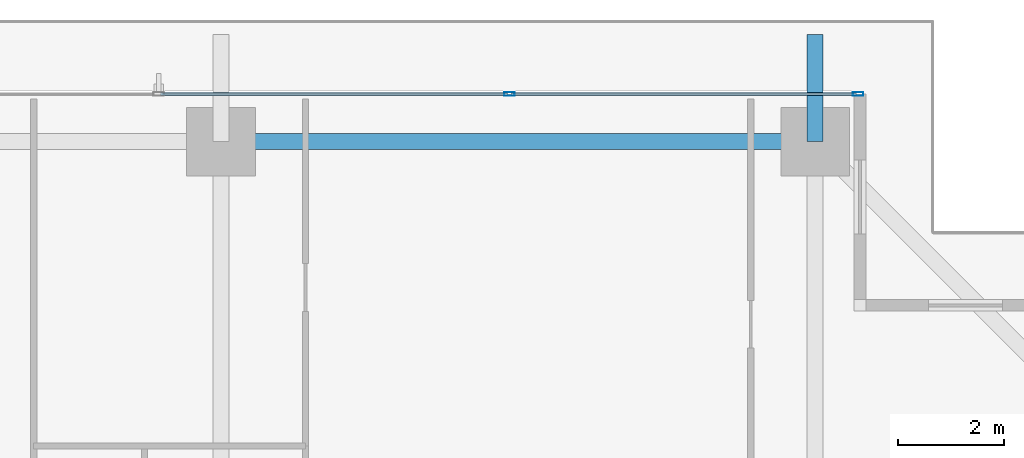
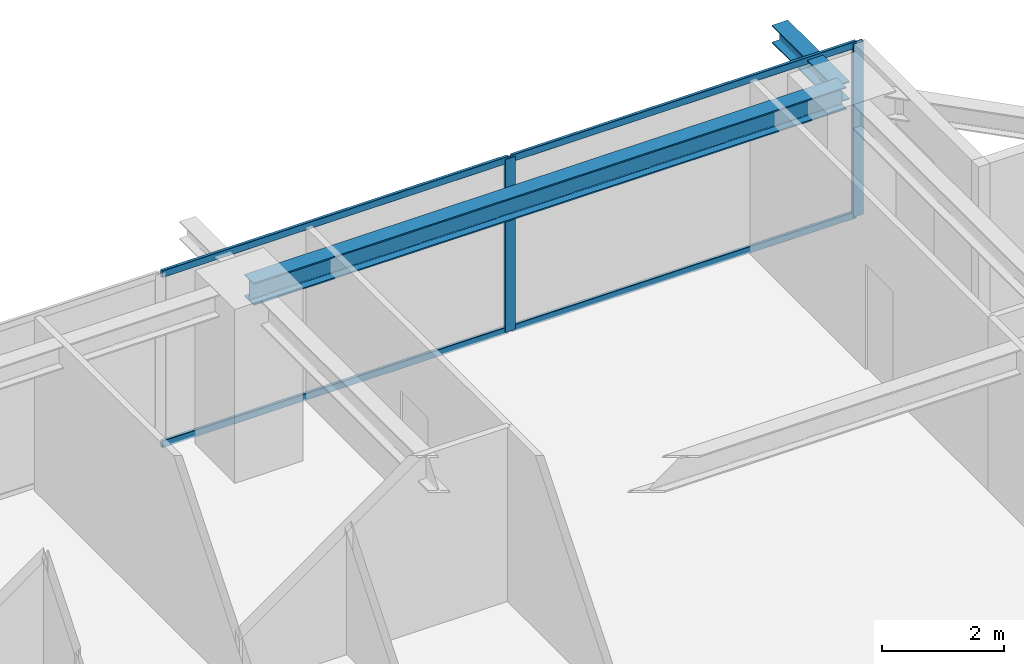
# One storey, part 21 of 35: 6 members, 2 beams, 1 element without a shape of its own.
"""IFC4 building model written with IfcOpenShell, lengths in metres."""

import ifcopenshell
import ifcopenshell.guid

model = None  # the IFC model being written
_history = None  # IfcOwnerHistory: only IFC2X3 demands one
_inside = {}  # id of a spatial element -> (the spatial element, [elements in it])
_under = {}  # id of a project, library or spatial element -> (it, [spatial elements below it])
_declared = {}  # id of a project -> (the project, [libraries it declares])
_typed = {}  # id of a type object -> (the type object, [elements of that type])
_made_of = {}  # id of a material, layer set ... -> (it, [elements and type objects made of it])


def new_model(schema):
    """Start an empty IFC model of exactly this schema.

    Asked for "IFC4X3", IfcOpenShell would pick the latest addendum, in which some entities
    have other attributes; the version numbers below select the first issue.
    IFC2X3 requires an IfcOwnerHistory on every rooted entity: one is made here for all.
    """
    global model, _history
    if schema == "IFC4X3":
        model = ifcopenshell.file(schema_version=(4, 3, 0, 0))
    else:
        model = ifcopenshell.file(schema=schema)
    _inside.clear()
    _under.clear()
    _declared.clear()
    _typed.clear()
    _made_of.clear()
    _history = None
    if model.schema == "IFC2X3":
        org = make("IfcOrganization", Name="unknown")
        user = make(
            "IfcPersonAndOrganization",
            ThePerson=make("IfcPerson", FamilyName="unknown"),
            TheOrganization=org,
        )
        app = make(
            "IfcApplication",
            ApplicationDeveloper=org,
            Version="unknown",
            ApplicationFullName="unknown",
            ApplicationIdentifier="unknown",
        )
        _history = make(
            "IfcOwnerHistory",
            OwningUser=user,
            OwningApplication=app,
            ChangeAction="ADDED",
            CreationDate=0,
        )
    return model


def make(cls, **values):
    """One entity of the class cls with the attributes given. An attribute that is None is left unset."""
    return model.create_entity(
        cls, **{name: value for name, value in values.items() if value is not None}
    )


def rooted(cls, **values):
    """An entity with a GlobalId (a new one), such as an element, a storey or a relation."""
    return make(cls, GlobalId=ifcopenshell.guid.new(), OwnerHistory=_history, **values)


def si_unit(unit_type, name, prefix=None):
    """IfcSIUnit, for example si_unit("LENGTHUNIT", "METRE", prefix="MILLI")."""
    return make("IfcSIUnit", UnitType=unit_type, Prefix=prefix, Name=name)


def assignment(units):
    """IfcUnitAssignment: the units of a project."""
    return None if units is None else make("IfcUnitAssignment", Units=units)


def point(xyz):
    """IfcCartesianPoint."""
    return None if xyz is None else make("IfcCartesianPoint", Coordinates=xyz)


def direction(xyz):
    """IfcDirection."""
    return None if xyz is None else make("IfcDirection", DirectionRatios=xyz)


def frame(location, z_axis=None, x_axis=None):
    """IfcAxis2Placement3D, a coordinate frame: its origin and axes. An axis left out is left unset."""
    return make(
        "IfcAxis2Placement3D",
        Location=point(location),
        Axis=direction(z_axis),
        RefDirection=direction(x_axis),
    )


def frame_2d(location, x_axis=None):
    """IfcAxis2Placement2D, a coordinate frame in the plane: its origin and x axis."""
    return make(
        "IfcAxis2Placement2D", Location=point(location), RefDirection=direction(x_axis)
    )


def origin():
    """The frame at (0, 0, 0) with its axes left unset."""
    return frame((0.0, 0.0, 0.0))


def origin_2d():
    """The frame at (0, 0) in the plane with its x axis left unset."""
    return frame_2d((0.0, 0.0))


def place(relative_to, where):
    """IfcLocalPlacement: puts the frame where relative to a parent placement (None: the world)."""
    return make(
        "IfcLocalPlacement", PlacementRelTo=relative_to, RelativePlacement=where
    )


def context(
    kind, dimensions, precision=None, world=None, true_north=None, identifier=None
):
    """IfcGeometricRepresentationContext, for example the 3D "Model" context."""
    return make(
        "IfcGeometricRepresentationContext",
        ContextIdentifier=identifier,
        ContextType=kind,
        CoordinateSpaceDimension=dimensions,
        Precision=precision,
        WorldCoordinateSystem=world,
        TrueNorth=true_north,
    )


def subcontext(parent, identifier, kind, view, scale=None):
    """IfcGeometricRepresentationSubContext, for example "Body" below "Model"."""
    return make(
        "IfcGeometricRepresentationSubContext",
        ContextIdentifier=identifier,
        ContextType=kind,
        ParentContext=parent,
        TargetScale=scale,
        TargetView=view,
    )


def project(units=None, contexts=None):
    """IfcProject with its units and contexts."""
    return rooted(
        "IfcProject",
        Name="project",
        RepresentationContexts=contexts,
        UnitsInContext=assignment(units),
    )


def spatial(cls, under=None, at=None, **own):
    """A site, building, storey or space (cls), placed at a placement, below another one or the project."""
    s = rooted(cls, ObjectPlacement=at, **own)
    if under is not None:
        _under.setdefault(under.id(), (under, []))[1].append(s)
    return s


def profile(cls, at=None, kind="AREA", **sizes):
    """A parametric profile (cls). Its sizes go by their IFC names, for example OverallWidth=200.0."""
    return make(cls, ProfileType=kind, Position=at, **sizes)


def hollow_rectangle(**sizes):
    """IfcRectangleHollowProfileDef."""
    return profile("IfcRectangleHollowProfileDef", **sizes)


def i_section(**sizes):
    """IfcIShapeProfileDef."""
    return profile("IfcIShapeProfileDef", **sizes)


def extrude(swept, where, along, depth):
    """IfcExtrudedAreaSolid: the profile swept, set in the frame where, extruded along a direction by depth."""
    return make(
        "IfcExtrudedAreaSolid",
        SweptArea=swept,
        Position=where,
        ExtrudedDirection=direction(along),
        Depth=depth,
    )


def shape(context_of_items, identifier, shape_type, items):
    """IfcShapeRepresentation: the items that make up one representation, for example the "Body"."""
    return make(
        "IfcShapeRepresentation",
        ContextOfItems=context_of_items,
        RepresentationIdentifier=identifier,
        RepresentationType=shape_type,
        Items=items,
    )


def source(mapping_origin, context_of_items, identifier, shape_type, items):
    """IfcRepresentationMap: a shape defined once, which mapped items show again and again."""
    return make(
        "IfcRepresentationMap",
        MappingOrigin=mapping_origin,
        MappedRepresentation=shape(context_of_items, identifier, shape_type, items),
    )


def transform(
    local_origin,
    x_axis=None,
    y_axis=None,
    z_axis=None,
    scale=None,
    scale2=None,
    scale3=None,
    uniform=True,
):
    """IfcCartesianTransformationOperator3D, or its non-uniform kind. x_axis, y_axis, z_axis: its Axis1, 2, 3."""
    if uniform:
        return make(
            "IfcCartesianTransformationOperator3D",
            Axis1=direction(x_axis),
            Axis2=direction(y_axis),
            LocalOrigin=point(local_origin),
            Scale=scale,
            Axis3=direction(z_axis),
        )
    return make(
        "IfcCartesianTransformationOperator3DnonUniform",
        Axis1=direction(x_axis),
        Axis2=direction(y_axis),
        LocalOrigin=point(local_origin),
        Scale=scale,
        Axis3=direction(z_axis),
        Scale2=scale2,
        Scale3=scale3,
    )


def mapped(mapping_source, mapping_target):
    """IfcMappedItem: shows the shape of a source again, moved by a transform."""
    return make(
        "IfcMappedItem", MappingSource=mapping_source, MappingTarget=mapping_target
    )


def material(Name=None, Category=None):
    """IfcMaterial."""
    return make("IfcMaterial", Name=Name, Category=Category)


def layer(
    of_material, thickness, ventilated=None, Name=None, Category=None, Priority=None
):
    """IfcMaterialLayer: one layer of a wall or slab, of a material (None: an air gap)."""
    return make(
        "IfcMaterialLayer",
        Material=of_material,
        LayerThickness=thickness,
        IsVentilated=ventilated,
        Name=Name,
        Category=Category,
        Priority=Priority,
    )


def layer_set(layers, Name=None):
    """IfcMaterialLayerSet."""
    return make("IfcMaterialLayerSet", MaterialLayers=layers, LayerSetName=Name)


def material_profile(
    of_material, cross_section, Name=None, Category=None, Priority=None
):
    """IfcMaterialProfile: a cross section and its material."""
    return make(
        "IfcMaterialProfile",
        Name=Name,
        Material=of_material,
        Profile=cross_section,
        Priority=Priority,
        Category=Category,
    )


def profile_set(profiles, Name=None, composite=None):
    """IfcMaterialProfileSet."""
    return make(
        "IfcMaterialProfileSet",
        Name=Name,
        MaterialProfiles=profiles,
        CompositeProfile=composite,
    )


def made_of(thing, what):
    """Note that an element or type object is made of a material, layer set ...; save() writes the relation."""
    if what is not None:
        _made_of.setdefault(what.id(), (what, []))[1].append(thing)
    return thing


def type_object(cls, material=None, **own):
    """A type object (cls), such as IfcWallType, which elements share."""
    return made_of(rooted(cls, **own), material)


def element(
    cls,
    number,
    at=None,
    inside=None,
    cuts=None,
    type_object=None,
    material=None,
    context=None,
    identifier="Body",
    shape_type=None,
    held_by="IfcProductDefinitionShape",
    body=None,
    shapes=None,
    **own,
):
    """One element of the class cls, such as IfcWall. Its Tag is "e" and its number.

    at: its placement. inside: the storey or other place that contains it. cuts: it is an
    opening in that element (IfcRelVoidsElement). A single representation is given by context,
    identifier, shape_type and body (its items); several are given by shapes. held_by: the class
    of the entity that holds the representations. save() writes the other relations.
    """
    e = rooted(cls, Tag="e%d" % number, ObjectPlacement=at, **own)
    if body is not None:
        shapes = [shape(context, identifier, shape_type, body)]
    if shapes is not None:
        e.Representation = make(held_by, Representations=shapes)
    if inside is not None:
        _inside.setdefault(inside.id(), (inside, []))[1].append(e)
    if cuts is not None:
        rooted(
            "IfcRelVoidsElement", RelatingBuildingElement=cuts, RelatedOpeningElement=e
        )
    if type_object is not None:
        _typed.setdefault(type_object.id(), (type_object, []))[1].append(e)
    return made_of(e, material)


def aggregate(whole, parts):
    """IfcRelAggregates: a whole, such as a stair, and the parts it consists of."""
    return rooted("IfcRelAggregates", RelatingObject=whole, RelatedObjects=parts)


def save(model, path):
    """Write the relations noted so far, then the file.

    IfcRelAggregates (storeys below a building ...), IfcRelContainedInSpatialStructure (elements
    in a storey), IfcRelDefinesByType, IfcRelAssociatesMaterial and IfcRelDeclares: one each for
    every whole, place, type object, material and project.
    """
    for whole, parts in _under.values():
        aggregate(whole, parts)
    for where, things in _inside.values():
        rooted(
            "IfcRelContainedInSpatialStructure",
            RelatedElements=things,
            RelatingStructure=where,
        )
    for kind, things in _typed.values():
        rooted("IfcRelDefinesByType", RelatedObjects=things, RelatingType=kind)
    for what, things in _made_of.values():
        rooted("IfcRelAssociatesMaterial", RelatedObjects=things, RelatingMaterial=what)
    for by, libraries in _declared.values():
        rooted("IfcRelDeclares", RelatingContext=by, RelatedDefinitions=libraries)
    model.write(path)


model = new_model("IFC4")

# Units and contexts
model_context = context("Model", 3, precision=1e-05, world=origin(), true_north=direction((0.0, 1.0)))
body_context = subcontext(model_context, "Body", "Model", "MODEL_VIEW")
ifc_project = project(units=[si_unit("LENGTHUNIT", "METRE"), si_unit("AREAUNIT", "SQUARE_METRE"), si_unit("VOLUMEUNIT", "CUBIC_METRE"), si_unit("PLANEANGLEUNIT", "RADIAN"), si_unit("MASSUNIT", "GRAM", prefix="KILO")], contexts=[model_context])

# Site, building, storey
site_placement = place(None, origin())
site = spatial("IfcSite", under=ifc_project, at=site_placement, CompositionType="ELEMENT")
building_placement = place(site_placement, origin())
building = spatial("IfcBuilding", under=site, at=building_placement, Name="Serunith Strait Residences", CompositionType="ELEMENT")
storey_placement = place(building_placement, frame((0.0, 0.0, 157.64990234375)))
storey = spatial("IfcBuildingStorey", under=building, at=storey_placement, Name="L39", CompositionType="ELEMENT", Elevation=157.64990234375)

# Beams
ifc_material_1 = material(Name="Steel S355J2", Category="steel")
ifc_material_profile_1 = material_profile(ifc_material_1, i_section(OverallWidth=0.300048828125, OverallDepth=0.449951171875, WebThickness=0.013916015625, FlangeThickness=0.02587890625, FilletRadius=0.027099609375, at=origin_2d()), Name="HEB 450")
ifc_profile_set_1 = profile_set([ifc_material_profile_1], Name="Steel S355J2")
beam_type_1 = type_object("IfcBeamType", Name="BM-HEB450", PredefinedType="BEAM", material=ifc_profile_set_1)
shared_shape_1 = source(origin(), body_context, "Body", "SweptSolid", [
    extrude(i_section(OverallWidth=0.300048828125, OverallDepth=0.449951171875, WebThickness=0.013916015625, FlangeThickness=0.02587890625, FilletRadius=0.027099609375, at=origin_2d()), origin(), (0.0, 0.0, 1.0), 11.25),
])
beam_1_placement = place(storey_placement, frame((48.14990234375, 48.10009765625, 3.26220703125), z_axis=(-1.0, 0.0, 0.0), x_axis=(0.0, -1.0, 0.0)))
element("IfcBeam", 1, at=beam_1_placement, inside=storey, type_object=beam_type_1, Name="L39 Perimeter Ring Beam 09", PredefinedType="BEAM", context=body_context, shape_type="MappedRepresentation", body=[
    mapped(shared_shape_1, transform((0.0, 0.0, 0.0), scale=1.0)),
])
ifc_material_profile_2 = material_profile(ifc_material_1, i_section(OverallWidth=0.300048828125, OverallDepth=0.360107421875, WebThickness=0.012451171875, FlangeThickness=0.0224609375, FilletRadius=0.027099609375, at=origin_2d()), Name="HEB 360")
ifc_profile_set_2 = profile_set([ifc_material_profile_2], Name="Steel S355J2")
beam_type_2 = type_object("IfcBeamType", Name="BM-HEB360", PredefinedType="BEAM", material=ifc_profile_set_2)
shared_shape_2 = source(origin(), body_context, "Body", "SweptSolid", [
    extrude(i_section(OverallWidth=0.300048828125, OverallDepth=0.360107421875, WebThickness=0.012451171875, FlangeThickness=0.0224609375, FilletRadius=0.027099609375, at=origin_2d()), origin(), (0.0, 0.0, 1.0), 2.02978515625),
])
beam_2_placement = place(storey_placement, frame((48.14990234375, 48.10009765625, 3.277099609375), z_axis=(0.0, 1.0, 0.0), x_axis=(-1.0, 0.0, 0.0)))
element("IfcBeam", 2, at=beam_2_placement, inside=storey, type_object=beam_type_2, Name="L40 Cantilevered Balcony Rib TC-N4", PredefinedType="BEAM", context=body_context, shape_type="MappedRepresentation", body=[
    mapped(shared_shape_2, transform((0.0, 0.0, 0.0), scale=1.0)),
])

# Curtain wall, members
ifc_material_2 = material(Name="Pale-Champagne Anodised Aluminium", Category="aluminium")
ifc_layer = layer(ifc_material_2, 0.199951171875, Name="Pale-Champagne Anodised Aluminium")
ifc_layer_set = layer_set([ifc_layer], Name="Pale-Champagne Anodised Aluminium")
curtain_wall_type = type_object("IfcCurtainWallType", Name="CW-SYS2", PredefinedType="NOTDEFINED", material=ifc_layer_set)
curtain_wall_placement = place(storey_placement, origin())
curtain_wall = element("IfcCurtainWall", 3, at=curtain_wall_placement, inside=storey, type_object=curtain_wall_type, Name="L39 N Unitised Fritted Curtain Wall", PredefinedType="NOTDEFINED")
ifc_material_profile_3 = material_profile(ifc_material_2, hollow_rectangle(XDim=0.070068359375, YDim=0.199951171875, WallThickness=0.00390625, InnerFilletRadius=0.006103515625, OuterFilletRadius=0.010009765625, at=origin_2d()), Name="ALU 200x70x4")
ifc_profile_set_3 = profile_set([ifc_material_profile_3], Name="Pale-Champagne Anodised Aluminium")
member_type_1 = type_object("IfcMemberType", Name="CW-SYS2-MULL", PredefinedType="MULLION", material=ifc_profile_set_3)
shared_shape_3 = source(origin(), body_context, "Body", "SweptSolid", [
    extrude(hollow_rectangle(XDim=0.070068359375, YDim=0.199951171875, WallThickness=0.00390625, InnerFilletRadius=0.006103515625, OuterFilletRadius=0.010009765625, at=origin_2d()), origin(), (0.0, 0.0, 1.0), 3.47509765625),
])
member_1_placement = place(storey_placement, frame((48.965087890625, 49.0, 0.0), z_axis=(0.0, 0.0, 1.0), x_axis=(0.0, -1.0, 0.0)))
member_1 = element("IfcMember", 4, at=member_1_placement, type_object=member_type_1, Name="CW-2 mullion 1", PredefinedType="MULLION", context=body_context, shape_type="MappedRepresentation", body=[
    mapped(shared_shape_3, transform((0.0, 0.0, 0.0), scale=1.0)),
])
member_2_placement = place(storey_placement, frame((42.360107421875, 49.0, 0.0), z_axis=(0.0, 0.0, 1.0), x_axis=(0.0, -1.0, 0.0)))
member_2 = element("IfcMember", 5, at=member_2_placement, type_object=member_type_1, Name="CW-2 mullion 2", PredefinedType="MULLION", context=body_context, shape_type="MappedRepresentation", body=[
    mapped(shared_shape_3, transform((0.0, 0.0, 0.0), scale=1.0)),
])
ifc_material_profile_4 = material_profile(ifc_material_2, hollow_rectangle(XDim=0.06005859375, YDim=0.139892578125, WallThickness=0.00341796875, InnerFilletRadius=0.00537109375, OuterFilletRadius=0.0087890625, at=origin_2d()), Name="ALU 140x60x3.5")
ifc_profile_set_4 = profile_set([ifc_material_profile_4], Name="Pale-Champagne Anodised Aluminium")
member_type_2 = type_object("IfcMemberType", Name="CW-SYS2-TRAN", PredefinedType="USERDEFINED", material=ifc_profile_set_4)
shared_shape_4 = source(origin(), body_context, "Body", "SweptSolid", [
    extrude(hollow_rectangle(XDim=0.06005859375, YDim=0.139892578125, WallThickness=0.00341796875, InnerFilletRadius=0.00537109375, OuterFilletRadius=0.0087890625, at=origin_2d()), origin(), (0.0, 0.0, 1.0), 6.534912109375),
])
member_3_placement = place(storey_placement, frame((48.929931640625, 49.0, 0.030029296875), z_axis=(-1.0, 0.0, 0.0), x_axis=(0.0, -1.0, 0.0)))
member_3 = element("IfcMember", 6, at=member_3_placement, type_object=member_type_2, Name="CW-2 transom 1.1", ObjectType="TRANSOM", PredefinedType="USERDEFINED", context=body_context, shape_type="MappedRepresentation", body=[
    mapped(shared_shape_4, transform((0.0, 0.0, 0.0), scale=1.0)),
])
member_4_placement = place(storey_placement, frame((48.929931640625, 49.0, 3.445068359375), z_axis=(-1.0, 0.0, 0.0), x_axis=(0.0, -1.0, 0.0)))
member_4 = element("IfcMember", 7, at=member_4_placement, type_object=member_type_2, Name="CW-2 transom 1.2", ObjectType="TRANSOM", PredefinedType="USERDEFINED", context=body_context, shape_type="MappedRepresentation", body=[
    mapped(shared_shape_4, transform((0.0, 0.0, 0.0), scale=1.0)),
])
shared_shape_5 = source(origin(), body_context, "Body", "SweptSolid", [
    extrude(hollow_rectangle(XDim=0.06005859375, YDim=0.139892578125, WallThickness=0.00341796875, InnerFilletRadius=0.00537109375, OuterFilletRadius=0.0087890625, at=origin_2d()), origin(), (0.0, 0.0, 1.0), 6.570068359375),
])
member_5_placement = place(storey_placement, frame((42.324951171875, 49.0, 0.030029296875), z_axis=(-1.0, 0.0, 0.0), x_axis=(0.0, -1.0, 0.0)))
member_5 = element("IfcMember", 8, at=member_5_placement, type_object=member_type_2, Name="CW-2 transom 2.1", ObjectType="TRANSOM", PredefinedType="USERDEFINED", context=body_context, shape_type="MappedRepresentation", body=[
    mapped(shared_shape_5, transform((0.0, 0.0, 0.0), scale=1.0)),
])
member_6_placement = place(storey_placement, frame((42.324951171875, 49.0, 3.445068359375), z_axis=(-1.0, 0.0, 0.0), x_axis=(0.0, -1.0, 0.0)))
member_6 = element("IfcMember", 9, at=member_6_placement, type_object=member_type_2, Name="CW-2 transom 2.2", ObjectType="TRANSOM", PredefinedType="USERDEFINED", context=body_context, shape_type="MappedRepresentation", body=[
    mapped(shared_shape_5, transform((0.0, 0.0, 0.0), scale=1.0)),
])
aggregate(curtain_wall, [member_1, member_2, member_3, member_4, member_5, member_6])

save(model, "model.ifc")
